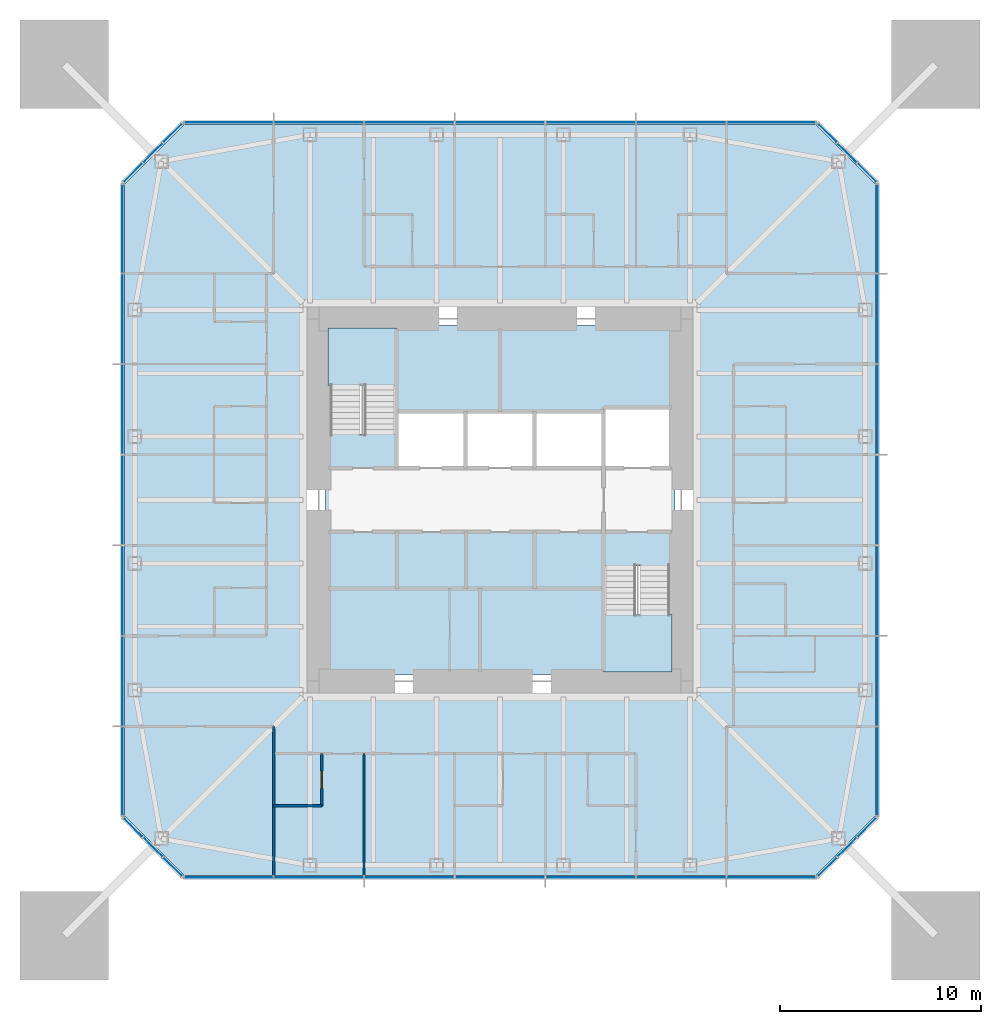
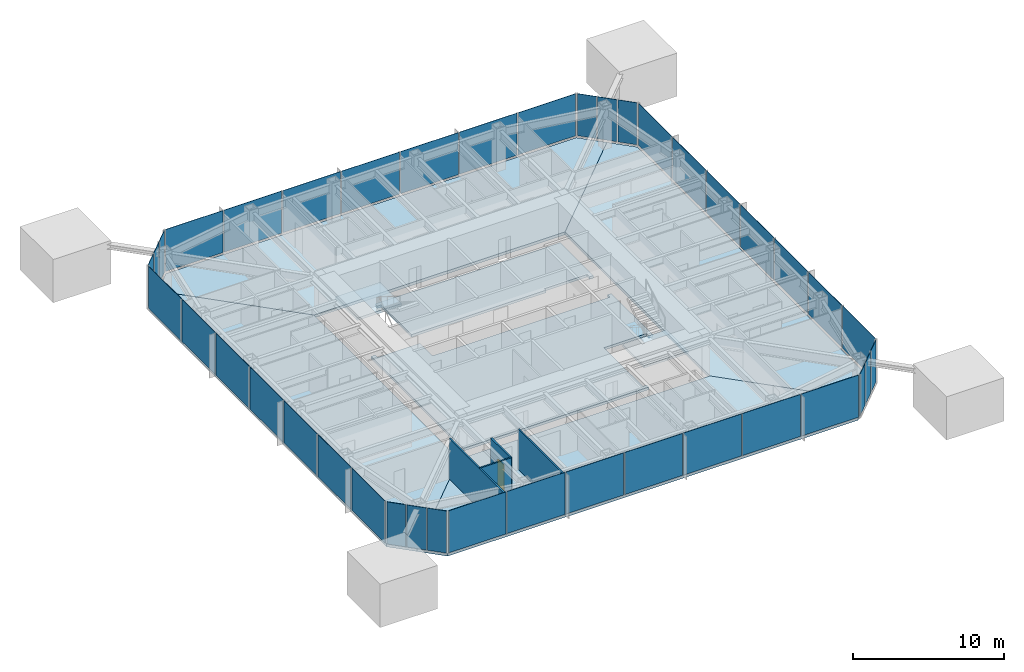
# One storey, part 5 of 11: 40 plates, 8 slabs, 4 walls, 1 door, 1 opening, 10 elements without a shape of their own.
"""IFC4 building model written with IfcOpenShell, lengths in metres."""

from ifc_helpers import new_model, si_unit, direction, frame, frame_2d, origin, origin_2d, place, context, subcontext, project, spatial, polyline, rectangle, outline, extrude, material, layer, layer_set, constituent, constituent_set, type_object, element, fill, aggregate, save


model = new_model("IFC4")

# Units and contexts
model_context = context("Model", 3, precision=1e-05, world=origin(), true_north=direction((0.0, 1.0)))
body_context = subcontext(model_context, "Body", "Model", "MODEL_VIEW")
ifc_project = project(units=[si_unit("LENGTHUNIT", "METRE"), si_unit("AREAUNIT", "SQUARE_METRE"), si_unit("VOLUMEUNIT", "CUBIC_METRE"), si_unit("PLANEANGLEUNIT", "RADIAN"), si_unit("MASSUNIT", "GRAM", prefix="KILO")], contexts=[model_context])

# Site, building, storey
site_placement = place(None, origin())
site = spatial("IfcSite", under=ifc_project, at=site_placement, CompositionType="ELEMENT")
building_placement = place(site_placement, origin())
building = spatial("IfcBuilding", under=site, at=building_placement, Name="Iwan Alto Co-Living Towers", CompositionType="ELEMENT")
storey_placement = place(building_placement, frame((0.0, 0.0, 156.5)))
storey = spatial("IfcBuildingStorey", under=building, at=storey_placement, Name="L42", CompositionType="ELEMENT", Elevation=156.5)

# Slabs
ifc_material_1 = material(Name="Concrete f'c 30 MPa", Category="concrete")
ifc_layer_1 = layer(ifc_material_1, 0.199951171875)
ifc_layer_set_1 = layer_set([ifc_layer_1], Name="CORE FLOOR SLAB 200")
slab_type_1 = type_object("IfcSlabType", Name="CORE FLOOR SLAB 200", PredefinedType="FLOOR", material=ifc_layer_set_1)
slab_1_placement = place(storey_placement, frame((0.0, 0.0, -0.199951171875)))
element("IfcSlab", 1, at=slab_1_placement, inside=storey, type_object=slab_type_1, Name="T1 core floor L42", PredefinedType="FLOOR", context=body_context, shape_type="SweptSolid", body=[
    extrude(outline(polyline([(5.14990234375, -8.39990234375), (5.4599609375, -8.39990234375), (5.4599609375, -8.699951171875), (-8.699951171875, -8.699951171875), (-8.699951171875, 3.580078125), (-8.39990234375, 3.580078125), (-8.39990234375, 3.27001953125), (-5.14990234375, 3.27001953125), (-5.14990234375, 1.60009765625), (-1.717041015625, 1.60009765625), (1.717041015625, 1.60009765625), (5.14990234375, 1.60009765625), (8.39990234375, 1.60009765625), (8.39990234375, 1.909912109375), (8.699951171875, 1.909912109375), (8.699951171875, -3.580078125), (8.39990234375, -3.580078125), (8.39990234375, -3.27001953125), (5.14990234375, -3.27001953125), (5.14990234375, -8.39990234375)])), origin(), (0.0, 0.0, 1.0), 0.199951171875),
])
slab_2_placement = place(storey_placement, frame((0.0, 0.0, -0.199951171875)))
element("IfcSlab", 2, at=slab_2_placement, inside=storey, type_object=slab_type_1, Name="T1 core floor L42", PredefinedType="FLOOR", context=body_context, shape_type="SweptSolid", body=[
    extrude(outline(polyline([(1.717041015625, 4.39990234375), (-1.717041015625, 4.39990234375), (-5.14990234375, 4.39990234375), (-5.14990234375, 8.39990234375), (-5.4599609375, 8.39990234375), (-5.4599609375, 8.699951171875), (8.699951171875, 8.699951171875), (8.699951171875, 4.2900390625), (8.39990234375, 4.2900390625), (8.39990234375, 4.60009765625), (5.14990234375, 4.60009765625), (5.14990234375, 4.39990234375), (1.717041015625, 4.39990234375)])), origin(), (0.0, 0.0, 1.0), 0.199951171875),
])

# Curtain wall, plates
ifc_material_2 = material(Name="Bronze aluminium unitised frame", Category="aluminium")
curtain_wall_type_1 = type_object("IfcCurtainWallType", Name="CURTAIN WALL CW-A", PredefinedType="NOTDEFINED", material=ifc_material_2)
curtain_wall_1_placement = place(storey_placement, origin())
curtain_wall_1 = element("IfcCurtainWall", 3, at=curtain_wall_1_placement, inside=storey, type_object=curtain_wall_type_1, Name="T1 curtain wall S L42", PredefinedType="NOTDEFINED")
ifc_material_3 = material(Name="Bronze-tinted insulating glass", Category="glass")
ifc_layer_2 = layer(ifc_material_3, 0.031982421875)
ifc_layer_set_2 = layer_set([ifc_layer_2], Name="CW-A PANEL TINTED IGU 32")
plate_type_1 = type_object("IfcPlateType", Name="CW-A PANEL TINTED IGU 32", PredefinedType="CURTAIN_PANEL", material=ifc_layer_set_2)
plate_1_placement = place(storey_placement, frame((-13.47998046875, -18.75, 0.10009765625), z_axis=(0.0, 0.0, 1.0), x_axis=(1.0, 0.0, 0.0)))
plate_1 = element("IfcPlate", 4, at=plate_1_placement, type_object=plate_type_1, Name="CW-A panel 1.1", PredefinedType="CURTAIN_PANEL", context=body_context, shape_type="SweptSolid", body=[
    extrude(rectangle(XDim=4.3798828125, YDim=0.031982421875, at=origin_2d()), origin(), (0.0, 0.0, 1.0), 3.39990234375),
])
plate_2_placement = place(storey_placement, frame((-9.0, -18.75, 0.10009765625), z_axis=(0.0, 0.0, 1.0), x_axis=(1.0, 0.0, 0.0)))
plate_2 = element("IfcPlate", 5, at=plate_2_placement, type_object=plate_type_1, Name="CW-A panel 2.1", PredefinedType="CURTAIN_PANEL", context=body_context, shape_type="SweptSolid", body=[
    extrude(rectangle(XDim=4.419921875, YDim=0.031982421875, at=origin_2d()), origin(), (0.0, 0.0, 1.0), 3.39990234375),
])
plate_3_placement = place(storey_placement, frame((-4.5, -18.75, 0.10009765625), z_axis=(0.0, 0.0, 1.0), x_axis=(1.0, 0.0, 0.0)))
plate_3 = element("IfcPlate", 6, at=plate_3_placement, type_object=plate_type_1, Name="CW-A panel 3.1", PredefinedType="CURTAIN_PANEL", context=body_context, shape_type="SweptSolid", body=[
    extrude(rectangle(XDim=4.419921875, YDim=0.031982421875, at=origin_2d()), origin(), (0.0, 0.0, 1.0), 3.39990234375),
])
plate_4_placement = place(storey_placement, frame((0.0, -18.75, 0.10009765625), z_axis=(0.0, 0.0, 1.0), x_axis=(1.0, 0.0, 0.0)))
plate_4 = element("IfcPlate", 7, at=plate_4_placement, type_object=plate_type_1, Name="CW-A panel 4.1", PredefinedType="CURTAIN_PANEL", context=body_context, shape_type="SweptSolid", body=[
    extrude(rectangle(XDim=4.419921875, YDim=0.031982421875, at=origin_2d()), origin(), (0.0, 0.0, 1.0), 3.39990234375),
])
plate_5_placement = place(storey_placement, frame((4.5, -18.75, 0.10009765625), z_axis=(0.0, 0.0, 1.0), x_axis=(1.0, 0.0, 0.0)))
plate_5 = element("IfcPlate", 8, at=plate_5_placement, type_object=plate_type_1, Name="CW-A panel 5.1", PredefinedType="CURTAIN_PANEL", context=body_context, shape_type="SweptSolid", body=[
    extrude(rectangle(XDim=4.419921875, YDim=0.031982421875, at=origin_2d()), origin(), (0.0, 0.0, 1.0), 3.39990234375),
])
plate_6_placement = place(storey_placement, frame((9.0, -18.75, 0.10009765625), z_axis=(0.0, 0.0, 1.0), x_axis=(1.0, 0.0, 0.0)))
plate_6 = element("IfcPlate", 9, at=plate_6_placement, type_object=plate_type_1, Name="CW-A panel 6.1", PredefinedType="CURTAIN_PANEL", context=body_context, shape_type="SweptSolid", body=[
    extrude(rectangle(XDim=4.419921875, YDim=0.031982421875, at=origin_2d()), origin(), (0.0, 0.0, 1.0), 3.39990234375),
])
plate_7_placement = place(storey_placement, frame((13.47998046875, -18.75, 0.10009765625), z_axis=(0.0, 0.0, 1.0), x_axis=(1.0, 0.0, 0.0)))
plate_7 = element("IfcPlate", 10, at=plate_7_placement, type_object=plate_type_1, Name="CW-A panel 7.1", PredefinedType="CURTAIN_PANEL", context=body_context, shape_type="SweptSolid", body=[
    extrude(rectangle(XDim=4.3798828125, YDim=0.031982421875, at=origin_2d()), origin(), (0.0, 0.0, 1.0), 3.39990234375),
])
aggregate(curtain_wall_1, [plate_1, plate_2, plate_3, plate_4, plate_5, plate_6, plate_7])

curtain_wall_2_placement = place(storey_placement, origin())
curtain_wall_2 = element("IfcCurtainWall", 11, at=curtain_wall_2_placement, inside=storey, type_object=curtain_wall_type_1, Name="T1 curtain wall E L42", PredefinedType="NOTDEFINED")
plate_8_placement = place(storey_placement, frame((18.75, -13.47998046875, 0.10009765625), z_axis=(0.0, 0.0, 1.0), x_axis=(0.0, 1.0, 0.0)))
plate_8 = element("IfcPlate", 12, at=plate_8_placement, type_object=plate_type_1, Name="CW-A panel 1.1", PredefinedType="CURTAIN_PANEL", context=body_context, shape_type="SweptSolid", body=[
    extrude(rectangle(XDim=4.3798828125, YDim=0.031982421875, at=origin_2d()), origin(), (0.0, 0.0, 1.0), 3.39990234375),
])
plate_9_placement = place(storey_placement, frame((18.75, -9.0, 0.10009765625), z_axis=(0.0, 0.0, 1.0), x_axis=(0.0, 1.0, 0.0)))
plate_9 = element("IfcPlate", 13, at=plate_9_placement, type_object=plate_type_1, Name="CW-A panel 2.1", PredefinedType="CURTAIN_PANEL", context=body_context, shape_type="SweptSolid", body=[
    extrude(rectangle(XDim=4.419921875, YDim=0.031982421875, at=origin_2d()), origin(), (0.0, 0.0, 1.0), 3.39990234375),
])
plate_10_placement = place(storey_placement, frame((18.75, -4.5, 0.10009765625), z_axis=(0.0, 0.0, 1.0), x_axis=(0.0, 1.0, 0.0)))
plate_10 = element("IfcPlate", 14, at=plate_10_placement, type_object=plate_type_1, Name="CW-A panel 3.1", PredefinedType="CURTAIN_PANEL", context=body_context, shape_type="SweptSolid", body=[
    extrude(rectangle(XDim=4.419921875, YDim=0.031982421875, at=origin_2d()), origin(), (0.0, 0.0, 1.0), 3.39990234375),
])
plate_11_placement = place(storey_placement, frame((18.75, 0.0, 0.10009765625), z_axis=(0.0, 0.0, 1.0), x_axis=(0.0, 1.0, 0.0)))
plate_11 = element("IfcPlate", 15, at=plate_11_placement, type_object=plate_type_1, Name="CW-A panel 4.1", PredefinedType="CURTAIN_PANEL", context=body_context, shape_type="SweptSolid", body=[
    extrude(rectangle(XDim=4.419921875, YDim=0.031982421875, at=origin_2d()), origin(), (0.0, 0.0, 1.0), 3.39990234375),
])
plate_12_placement = place(storey_placement, frame((18.75, 4.5, 0.10009765625), z_axis=(0.0, 0.0, 1.0), x_axis=(0.0, 1.0, 0.0)))
plate_12 = element("IfcPlate", 16, at=plate_12_placement, type_object=plate_type_1, Name="CW-A panel 5.1", PredefinedType="CURTAIN_PANEL", context=body_context, shape_type="SweptSolid", body=[
    extrude(rectangle(XDim=4.419921875, YDim=0.031982421875, at=origin_2d()), origin(), (0.0, 0.0, 1.0), 3.39990234375),
])
plate_13_placement = place(storey_placement, frame((18.75, 9.0, 0.10009765625), z_axis=(0.0, 0.0, 1.0), x_axis=(0.0, 1.0, 0.0)))
plate_13 = element("IfcPlate", 17, at=plate_13_placement, type_object=plate_type_1, Name="CW-A panel 6.1", PredefinedType="CURTAIN_PANEL", context=body_context, shape_type="SweptSolid", body=[
    extrude(rectangle(XDim=4.419921875, YDim=0.031982421875, at=origin_2d()), origin(), (0.0, 0.0, 1.0), 3.39990234375),
])
plate_14_placement = place(storey_placement, frame((18.75, 13.47998046875, 0.10009765625), z_axis=(0.0, 0.0, 1.0), x_axis=(0.0, 1.0, 0.0)))
plate_14 = element("IfcPlate", 18, at=plate_14_placement, type_object=plate_type_1, Name="CW-A panel 7.1", PredefinedType="CURTAIN_PANEL", context=body_context, shape_type="SweptSolid", body=[
    extrude(rectangle(XDim=4.3798828125, YDim=0.031982421875, at=origin_2d()), origin(), (0.0, 0.0, 1.0), 3.39990234375),
])
aggregate(curtain_wall_2, [plate_8, plate_9, plate_10, plate_11, plate_12, plate_13, plate_14])

curtain_wall_3_placement = place(storey_placement, origin())
curtain_wall_3 = element("IfcCurtainWall", 19, at=curtain_wall_3_placement, inside=storey, type_object=curtain_wall_type_1, Name="T1 curtain wall N L42", PredefinedType="NOTDEFINED")
plate_15_placement = place(storey_placement, frame((13.47998046875, 18.75, 0.10009765625), z_axis=(0.0, 0.0, 1.0), x_axis=(-1.0, 0.0, 0.0)))
plate_15 = element("IfcPlate", 20, at=plate_15_placement, type_object=plate_type_1, Name="CW-A panel 1.1", PredefinedType="CURTAIN_PANEL", context=body_context, shape_type="SweptSolid", body=[
    extrude(rectangle(XDim=4.3798828125, YDim=0.031982421875, at=origin_2d()), origin(), (0.0, 0.0, 1.0), 3.39990234375),
])
plate_16_placement = place(storey_placement, frame((9.0, 18.75, 0.10009765625), z_axis=(0.0, 0.0, 1.0), x_axis=(-1.0, 0.0, 0.0)))
plate_16 = element("IfcPlate", 21, at=plate_16_placement, type_object=plate_type_1, Name="CW-A panel 2.1", PredefinedType="CURTAIN_PANEL", context=body_context, shape_type="SweptSolid", body=[
    extrude(rectangle(XDim=4.419921875, YDim=0.031982421875, at=origin_2d()), origin(), (0.0, 0.0, 1.0), 3.39990234375),
])
plate_17_placement = place(storey_placement, frame((4.5, 18.75, 0.10009765625), z_axis=(0.0, 0.0, 1.0), x_axis=(-1.0, 0.0, 0.0)))
plate_17 = element("IfcPlate", 22, at=plate_17_placement, type_object=plate_type_1, Name="CW-A panel 3.1", PredefinedType="CURTAIN_PANEL", context=body_context, shape_type="SweptSolid", body=[
    extrude(rectangle(XDim=4.419921875, YDim=0.031982421875, at=origin_2d()), origin(), (0.0, 0.0, 1.0), 3.39990234375),
])
plate_18_placement = place(storey_placement, frame((0.0, 18.75, 0.10009765625), z_axis=(0.0, 0.0, 1.0), x_axis=(-1.0, 0.0, 0.0)))
plate_18 = element("IfcPlate", 23, at=plate_18_placement, type_object=plate_type_1, Name="CW-A panel 4.1", PredefinedType="CURTAIN_PANEL", context=body_context, shape_type="SweptSolid", body=[
    extrude(rectangle(XDim=4.419921875, YDim=0.031982421875, at=origin_2d()), origin(), (0.0, 0.0, 1.0), 3.39990234375),
])
plate_19_placement = place(storey_placement, frame((-4.5, 18.75, 0.10009765625), z_axis=(0.0, 0.0, 1.0), x_axis=(-1.0, 0.0, 0.0)))
plate_19 = element("IfcPlate", 24, at=plate_19_placement, type_object=plate_type_1, Name="CW-A panel 5.1", PredefinedType="CURTAIN_PANEL", context=body_context, shape_type="SweptSolid", body=[
    extrude(rectangle(XDim=4.419921875, YDim=0.031982421875, at=origin_2d()), origin(), (0.0, 0.0, 1.0), 3.39990234375),
])
plate_20_placement = place(storey_placement, frame((-9.0, 18.75, 0.10009765625), z_axis=(0.0, 0.0, 1.0), x_axis=(-1.0, 0.0, 0.0)))
plate_20 = element("IfcPlate", 25, at=plate_20_placement, type_object=plate_type_1, Name="CW-A panel 6.1", PredefinedType="CURTAIN_PANEL", context=body_context, shape_type="SweptSolid", body=[
    extrude(rectangle(XDim=4.419921875, YDim=0.031982421875, at=origin_2d()), origin(), (0.0, 0.0, 1.0), 3.39990234375),
])
plate_21_placement = place(storey_placement, frame((-13.47998046875, 18.75, 0.10009765625), z_axis=(0.0, 0.0, 1.0), x_axis=(-1.0, 0.0, 0.0)))
plate_21 = element("IfcPlate", 26, at=plate_21_placement, type_object=plate_type_1, Name="CW-A panel 7.1", PredefinedType="CURTAIN_PANEL", context=body_context, shape_type="SweptSolid", body=[
    extrude(rectangle(XDim=4.3798828125, YDim=0.031982421875, at=origin_2d()), origin(), (0.0, 0.0, 1.0), 3.39990234375),
])
aggregate(curtain_wall_3, [plate_15, plate_16, plate_17, plate_18, plate_19, plate_20, plate_21])

curtain_wall_4_placement = place(storey_placement, origin())
curtain_wall_4 = element("IfcCurtainWall", 27, at=curtain_wall_4_placement, inside=storey, type_object=curtain_wall_type_1, Name="T1 curtain wall W L42", PredefinedType="NOTDEFINED")
plate_22_placement = place(storey_placement, frame((-18.75, 13.47998046875, 0.10009765625), z_axis=(0.0, 0.0, 1.0), x_axis=(0.0, -1.0, 0.0)))
plate_22 = element("IfcPlate", 28, at=plate_22_placement, type_object=plate_type_1, Name="CW-A panel 1.1", PredefinedType="CURTAIN_PANEL", context=body_context, shape_type="SweptSolid", body=[
    extrude(rectangle(XDim=4.3798828125, YDim=0.031982421875, at=origin_2d()), origin(), (0.0, 0.0, 1.0), 3.39990234375),
])
plate_23_placement = place(storey_placement, frame((-18.75, 9.0, 0.10009765625), z_axis=(0.0, 0.0, 1.0), x_axis=(0.0, -1.0, 0.0)))
plate_23 = element("IfcPlate", 29, at=plate_23_placement, type_object=plate_type_1, Name="CW-A panel 2.1", PredefinedType="CURTAIN_PANEL", context=body_context, shape_type="SweptSolid", body=[
    extrude(rectangle(XDim=4.419921875, YDim=0.031982421875, at=origin_2d()), origin(), (0.0, 0.0, 1.0), 3.39990234375),
])
plate_24_placement = place(storey_placement, frame((-18.75, 4.5, 0.10009765625), z_axis=(0.0, 0.0, 1.0), x_axis=(0.0, -1.0, 0.0)))
plate_24 = element("IfcPlate", 30, at=plate_24_placement, type_object=plate_type_1, Name="CW-A panel 3.1", PredefinedType="CURTAIN_PANEL", context=body_context, shape_type="SweptSolid", body=[
    extrude(rectangle(XDim=4.419921875, YDim=0.031982421875, at=origin_2d()), origin(), (0.0, 0.0, 1.0), 3.39990234375),
])
plate_25_placement = place(storey_placement, frame((-18.75, 0.0, 0.10009765625), z_axis=(0.0, 0.0, 1.0), x_axis=(0.0, -1.0, 0.0)))
plate_25 = element("IfcPlate", 31, at=plate_25_placement, type_object=plate_type_1, Name="CW-A panel 4.1", PredefinedType="CURTAIN_PANEL", context=body_context, shape_type="SweptSolid", body=[
    extrude(rectangle(XDim=4.419921875, YDim=0.031982421875, at=origin_2d()), origin(), (0.0, 0.0, 1.0), 3.39990234375),
])
plate_26_placement = place(storey_placement, frame((-18.75, -4.5, 0.10009765625), z_axis=(0.0, 0.0, 1.0), x_axis=(0.0, -1.0, 0.0)))
plate_26 = element("IfcPlate", 32, at=plate_26_placement, type_object=plate_type_1, Name="CW-A panel 5.1", PredefinedType="CURTAIN_PANEL", context=body_context, shape_type="SweptSolid", body=[
    extrude(rectangle(XDim=4.419921875, YDim=0.031982421875, at=origin_2d()), origin(), (0.0, 0.0, 1.0), 3.39990234375),
])
plate_27_placement = place(storey_placement, frame((-18.75, -9.0, 0.10009765625), z_axis=(0.0, 0.0, 1.0), x_axis=(0.0, -1.0, 0.0)))
plate_27 = element("IfcPlate", 33, at=plate_27_placement, type_object=plate_type_1, Name="CW-A panel 6.1", PredefinedType="CURTAIN_PANEL", context=body_context, shape_type="SweptSolid", body=[
    extrude(rectangle(XDim=4.419921875, YDim=0.031982421875, at=origin_2d()), origin(), (0.0, 0.0, 1.0), 3.39990234375),
])
plate_28_placement = place(storey_placement, frame((-18.75, -13.47998046875, 0.10009765625), z_axis=(0.0, 0.0, 1.0), x_axis=(0.0, -1.0, 0.0)))
plate_28 = element("IfcPlate", 34, at=plate_28_placement, type_object=plate_type_1, Name="CW-A panel 7.1", PredefinedType="CURTAIN_PANEL", context=body_context, shape_type="SweptSolid", body=[
    extrude(rectangle(XDim=4.3798828125, YDim=0.031982421875, at=origin_2d()), origin(), (0.0, 0.0, 1.0), 3.39990234375),
])
aggregate(curtain_wall_4, [plate_22, plate_23, plate_24, plate_25, plate_26, plate_27, plate_28])

ifc_material_4 = material(Name="Bronze aluminium unitised frame", Category="aluminium")
curtain_wall_type_2 = type_object("IfcCurtainWallType", Name="CURTAIN WALL CW-B", PredefinedType="NOTDEFINED", material=ifc_material_4)
curtain_wall_5_placement = place(storey_placement, origin())
curtain_wall_5 = element("IfcCurtainWall", 35, at=curtain_wall_5_placement, inside=storey, type_object=curtain_wall_type_2, Name="T1 chamfer curtain wall SE L42", PredefinedType="NOTDEFINED")
ifc_material_5 = material(Name="Bronze-tinted insulating glass", Category="glass")
ifc_layer_3 = layer(ifc_material_5, 0.031982421875)
ifc_layer_set_3 = layer_set([ifc_layer_3], Name="CW-B PANEL TINTED IGU 32")
plate_type_2 = type_object("IfcPlateType", Name="CW-B PANEL TINTED IGU 32", PredefinedType="CURTAIN_PANEL", material=ifc_layer_set_3)
plate_29_placement = place(storey_placement, frame((16.26416015625, -18.23583984375, 0.10009765625), z_axis=(0.0, 0.0, 1.0), x_axis=(0.707106781187, 0.707106781187, 0.0)))
plate_29 = element("IfcPlate", 36, at=plate_29_placement, type_object=plate_type_2, Name="CW-B panel 1.1", PredefinedType="CURTAIN_PANEL", context=body_context, shape_type="SweptSolid", body=[
    extrude(rectangle(XDim=1.294189453125, YDim=0.031982421875, at=origin_2d()), origin(), (0.0, 0.0, 1.0), 3.39990234375),
])
plate_30_placement = place(storey_placement, frame((17.25, -17.25, 0.10009765625), z_axis=(0.0, 0.0, 1.0), x_axis=(0.707106781187, 0.707106781187, 0.0)))
plate_30 = element("IfcPlate", 37, at=plate_30_placement, type_object=plate_type_2, Name="CW-B panel 2.1", PredefinedType="CURTAIN_PANEL", context=body_context, shape_type="SweptSolid", body=[
    extrude(rectangle(XDim=1.334228515625, YDim=0.031982421875, at=origin_2d()), origin(), (0.0, 0.0, 1.0), 3.39990234375),
])
plate_31_placement = place(storey_placement, frame((18.23583984375, -16.26416015625, 0.10009765625), z_axis=(0.0, 0.0, 1.0), x_axis=(0.707106781187, 0.707106781187, 0.0)))
plate_31 = element("IfcPlate", 38, at=plate_31_placement, type_object=plate_type_2, Name="CW-B panel 3.1", PredefinedType="CURTAIN_PANEL", context=body_context, shape_type="SweptSolid", body=[
    extrude(rectangle(XDim=1.294189453125, YDim=0.031982421875, at=origin_2d()), origin(), (0.0, 0.0, 1.0), 3.39990234375),
])
aggregate(curtain_wall_5, [plate_29, plate_30, plate_31])

curtain_wall_6_placement = place(storey_placement, origin())
curtain_wall_6 = element("IfcCurtainWall", 39, at=curtain_wall_6_placement, inside=storey, type_object=curtain_wall_type_2, Name="T1 chamfer curtain wall NE L42", PredefinedType="NOTDEFINED")
plate_32_placement = place(storey_placement, frame((18.23583984375, 16.26416015625, 0.10009765625), z_axis=(0.0, 0.0, 1.0), x_axis=(-0.707106781187, 0.707106781187, 0.0)))
plate_32 = element("IfcPlate", 40, at=plate_32_placement, type_object=plate_type_2, Name="CW-B panel 1.1", PredefinedType="CURTAIN_PANEL", context=body_context, shape_type="SweptSolid", body=[
    extrude(rectangle(XDim=1.294189453125, YDim=0.031982421875, at=origin_2d()), origin(), (0.0, 0.0, 1.0), 3.39990234375),
])
plate_33_placement = place(storey_placement, frame((17.25, 17.25, 0.10009765625), z_axis=(0.0, 0.0, 1.0), x_axis=(-0.707106781187, 0.707106781187, 0.0)))
plate_33 = element("IfcPlate", 41, at=plate_33_placement, type_object=plate_type_2, Name="CW-B panel 2.1", PredefinedType="CURTAIN_PANEL", context=body_context, shape_type="SweptSolid", body=[
    extrude(rectangle(XDim=1.334228515625, YDim=0.031982421875, at=origin_2d()), origin(), (0.0, 0.0, 1.0), 3.39990234375),
])
plate_34_placement = place(storey_placement, frame((16.26416015625, 18.23583984375, 0.10009765625), z_axis=(0.0, 0.0, 1.0), x_axis=(-0.707106781187, 0.707106781187, 0.0)))
plate_34 = element("IfcPlate", 42, at=plate_34_placement, type_object=plate_type_2, Name="CW-B panel 3.1", PredefinedType="CURTAIN_PANEL", context=body_context, shape_type="SweptSolid", body=[
    extrude(rectangle(XDim=1.294189453125, YDim=0.031982421875, at=origin_2d()), origin(), (0.0, 0.0, 1.0), 3.39990234375),
])
aggregate(curtain_wall_6, [plate_32, plate_33, plate_34])

curtain_wall_7_placement = place(storey_placement, origin())
curtain_wall_7 = element("IfcCurtainWall", 43, at=curtain_wall_7_placement, inside=storey, type_object=curtain_wall_type_2, Name="T1 chamfer curtain wall NW L42", PredefinedType="NOTDEFINED")
plate_35_placement = place(storey_placement, frame((-16.26416015625, 18.23583984375, 0.10009765625), z_axis=(0.0, 0.0, 1.0), x_axis=(-0.707106781187, -0.707106781187, 0.0)))
plate_35 = element("IfcPlate", 44, at=plate_35_placement, type_object=plate_type_2, Name="CW-B panel 1.1", PredefinedType="CURTAIN_PANEL", context=body_context, shape_type="SweptSolid", body=[
    extrude(rectangle(XDim=1.294189453125, YDim=0.031982421875, at=origin_2d()), origin(), (0.0, 0.0, 1.0), 3.39990234375),
])
plate_36_placement = place(storey_placement, frame((-17.25, 17.25, 0.10009765625), z_axis=(0.0, 0.0, 1.0), x_axis=(-0.707106781187, -0.707106781187, 0.0)))
plate_36 = element("IfcPlate", 45, at=plate_36_placement, type_object=plate_type_2, Name="CW-B panel 2.1", PredefinedType="CURTAIN_PANEL", context=body_context, shape_type="SweptSolid", body=[
    extrude(rectangle(XDim=1.334228515625, YDim=0.031982421875, at=origin_2d()), origin(), (0.0, 0.0, 1.0), 3.39990234375),
])
plate_37_placement = place(storey_placement, frame((-18.23583984375, 16.26416015625, 0.10009765625), z_axis=(0.0, 0.0, 1.0), x_axis=(-0.707106781187, -0.707106781187, 0.0)))
plate_37 = element("IfcPlate", 46, at=plate_37_placement, type_object=plate_type_2, Name="CW-B panel 3.1", PredefinedType="CURTAIN_PANEL", context=body_context, shape_type="SweptSolid", body=[
    extrude(rectangle(XDim=1.294189453125, YDim=0.031982421875, at=origin_2d()), origin(), (0.0, 0.0, 1.0), 3.39990234375),
])
aggregate(curtain_wall_7, [plate_35, plate_36, plate_37])

curtain_wall_8_placement = place(storey_placement, origin())
curtain_wall_8 = element("IfcCurtainWall", 47, at=curtain_wall_8_placement, inside=storey, type_object=curtain_wall_type_2, Name="T1 chamfer curtain wall SW L42", PredefinedType="NOTDEFINED")
plate_38_placement = place(storey_placement, frame((-18.23583984375, -16.26416015625, 0.10009765625), z_axis=(0.0, 0.0, 1.0), x_axis=(0.707106781187, -0.707106781187, 0.0)))
plate_38 = element("IfcPlate", 48, at=plate_38_placement, type_object=plate_type_2, Name="CW-B panel 1.1", PredefinedType="CURTAIN_PANEL", context=body_context, shape_type="SweptSolid", body=[
    extrude(rectangle(XDim=1.294189453125, YDim=0.031982421875, at=origin_2d()), origin(), (0.0, 0.0, 1.0), 3.39990234375),
])
plate_39_placement = place(storey_placement, frame((-17.25, -17.25, 0.10009765625), z_axis=(0.0, 0.0, 1.0), x_axis=(0.707106781187, -0.707106781187, 0.0)))
plate_39 = element("IfcPlate", 49, at=plate_39_placement, type_object=plate_type_2, Name="CW-B panel 2.1", PredefinedType="CURTAIN_PANEL", context=body_context, shape_type="SweptSolid", body=[
    extrude(rectangle(XDim=1.334228515625, YDim=0.031982421875, at=origin_2d()), origin(), (0.0, 0.0, 1.0), 3.39990234375),
])
plate_40_placement = place(storey_placement, frame((-16.26416015625, -18.23583984375, 0.10009765625), z_axis=(0.0, 0.0, 1.0), x_axis=(0.707106781187, -0.707106781187, 0.0)))
plate_40 = element("IfcPlate", 50, at=plate_40_placement, type_object=plate_type_2, Name="CW-B panel 3.1", PredefinedType="CURTAIN_PANEL", context=body_context, shape_type="SweptSolid", body=[
    extrude(rectangle(XDim=1.294189453125, YDim=0.031982421875, at=origin_2d()), origin(), (0.0, 0.0, 1.0), 3.39990234375),
])
aggregate(curtain_wall_8, [plate_38, plate_39, plate_40])

# Stair, slab
ifc_material_6 = material(Name="Steel ASTM A36", Category="steel")
ifc_constituent_1 = constituent(ifc_material_6, Name="Stringers", Category="LoadBearing")
ifc_material_7 = material(Name="Concrete f'c 30 MPa", Category="concrete")
ifc_constituent_2 = constituent(ifc_material_7, Name="Tread fill", Category="Finish")
ifc_constituent_set = constituent_set(constituents=[ifc_constituent_1, ifc_constituent_2], Name="STAIR 3500 TWO-FLIGHT T1 CORE")
stair_type = type_object("IfcStairType", Name="STAIR 3500 TWO-FLIGHT T1 CORE", PredefinedType="HALF_TURN_STAIR", material=ifc_constituent_set)
stair_1_placement = place(storey_placement, origin())
stair_1 = element("IfcStair", 51, at=stair_1_placement, inside=storey, type_object=stair_type, Name="Stair T1-S1 L42 to L43", PredefinedType="HALF_TURN_STAIR")
ifc_material_8 = material(Name="Concrete f'c 30 MPa", Category="concrete")
ifc_layer_4 = layer(ifc_material_8, 0.199951171875)
ifc_layer_set_4 = layer_set([ifc_layer_4], Name="STAIR LANDING 200")
slab_type_2 = type_object("IfcSlabType", Name="STAIR LANDING 200", PredefinedType="LANDING", material=ifc_layer_set_4)
slab_3_placement = place(storey_placement, frame((0.0, 0.0, 1.550048828125)))
slab_3 = element("IfcSlab", 52, at=slab_3_placement, type_object=slab_type_2, Name="T1-S1 landing 1", PredefinedType="LANDING", context=body_context, shape_type="SweptSolid", body=[
    extrude(outline(polyline([(-8.550048828125, 5.68994140625), (-8.550048828125, 8.550048828125), (-5.14990234375, 8.550048828125), (-5.14990234375, 5.68994140625), (-8.550048828125, 5.68994140625)])), origin(), (0.0, 0.0, 1.0), 0.199951171875),
])
aggregate(stair_1, [slab_3])

stair_2_placement = place(storey_placement, origin())
stair_2 = element("IfcStair", 53, at=stair_2_placement, inside=storey, type_object=stair_type, Name="Stair T1-S2 L42 to L43", PredefinedType="HALF_TURN_STAIR")
slab_4_placement = place(storey_placement, frame((0.0, 0.0, 1.550048828125)))
slab_4 = element("IfcSlab", 54, at=slab_4_placement, type_object=slab_type_2, Name="T1-S2 landing 1", PredefinedType="LANDING", context=body_context, shape_type="SweptSolid", body=[
    extrude(outline(polyline([(5.14990234375, -5.68994140625), (5.14990234375, -8.550048828125), (8.550048828125, -8.550048828125), (8.550048828125, -5.68994140625), (5.14990234375, -5.68994140625)])), origin(), (0.0, 0.0, 1.0), 0.199951171875),
])
aggregate(stair_2, [slab_4])

# Slabs
ifc_material_9 = material(Name="Concrete f'c 30 MPa", Category="concrete")
ifc_layer_5 = layer(ifc_material_9, 0.22998046875)
ifc_layer_set_5 = layer_set([ifc_layer_5], Name="T1 FLOOR SLAB 230")
slab_type_3 = type_object("IfcSlabType", Name="T1 FLOOR SLAB 230", PredefinedType="FLOOR", material=ifc_layer_set_5)
slab_5_placement = place(storey_placement, frame((0.0, 0.0, -0.22998046875)))
element("IfcSlab", 55, at=slab_5_placement, inside=storey, type_object=slab_type_3, Name="T1 floor slab L42 S pour", PredefinedType="FLOOR", context=body_context, shape_type="SweptSolid", body=[
    extrude(outline(polyline([(15.69140625, -18.64990234375), (-15.69140625, -18.64990234375), (-17.170654296875, -17.170654296875), (-9.60009765625, -9.60009765625), (9.60009765625, -9.60009765625), (17.170654296875, -17.170654296875), (15.69140625, -18.64990234375)])), origin(), (0.0, 0.0, 1.0), 0.22998046875),
])
slab_6_placement = place(storey_placement, frame((0.0, 0.0, -0.22998046875)))
element("IfcSlab", 56, at=slab_6_placement, inside=storey, type_object=slab_type_3, Name="T1 floor slab L42 E pour", PredefinedType="FLOOR", context=body_context, shape_type="SweptSolid", body=[
    extrude(outline(polyline([(18.64990234375, 15.69140625), (18.64990234375, -15.69140625), (17.170654296875, -17.170654296875), (9.60009765625, -9.60009765625), (9.60009765625, 9.60009765625), (17.170654296875, 17.170654296875), (18.64990234375, 15.69140625)])), origin(), (0.0, 0.0, 1.0), 0.22998046875),
])
slab_7_placement = place(storey_placement, frame((0.0, 0.0, -0.22998046875)))
element("IfcSlab", 57, at=slab_7_placement, inside=storey, type_object=slab_type_3, Name="T1 floor slab L42 N pour", PredefinedType="FLOOR", context=body_context, shape_type="SweptSolid", body=[
    extrude(outline(polyline([(-15.69140625, 18.64990234375), (15.69140625, 18.64990234375), (17.170654296875, 17.170654296875), (9.60009765625, 9.60009765625), (-9.60009765625, 9.60009765625), (-17.170654296875, 17.170654296875), (-15.69140625, 18.64990234375)])), origin(), (0.0, 0.0, 1.0), 0.22998046875),
])
slab_8_placement = place(storey_placement, frame((0.0, 0.0, -0.22998046875)))
element("IfcSlab", 58, at=slab_8_placement, inside=storey, type_object=slab_type_3, Name="T1 floor slab L42 W pour", PredefinedType="FLOOR", context=body_context, shape_type="SweptSolid", body=[
    extrude(outline(polyline([(-18.64990234375, 15.69140625), (-17.170654296875, 17.170654296875), (-9.60009765625, 9.60009765625), (-9.60009765625, -9.60009765625), (-17.170654296875, -17.170654296875), (-18.64990234375, -15.69140625), (-18.64990234375, 15.69140625)])), origin(), (0.0, 0.0, 1.0), 0.22998046875),
])

# Walls
ifc_material_10 = material(Name="Gypsum board")
ifc_layer_6 = layer(ifc_material_10, 0.012451171875, Name="Board", Category="Finish")
ifc_material_11 = material(Name="Steel ASTM A1003 ST33H cold-formed studs", Category="steel")
ifc_layer_7 = layer(ifc_material_11, 0.074951171875, Name="Studs", Category="Framing")
ifc_layer_8 = layer(ifc_material_10, 0.012451171875, Name="Board", Category="Finish")
ifc_layer_set_6 = layer_set([ifc_layer_6, ifc_layer_7, ifc_layer_8], Name="PARTITION 100")
wall_type_1 = type_object("IfcWallType", Name="PARTITION 100", PredefinedType="PARTITIONING", material=ifc_layer_set_6)
wall_1_placement = place(storey_placement, frame((-6.75, -18.68994140625, 0.0), z_axis=(0.0, 0.0, 1.0), x_axis=(0.0, 1.0, 0.0)))
element("IfcWall", 59, at=wall_1_placement, inside=storey, type_object=wall_type_1, Name="Partition L42", PredefinedType="PARTITIONING", context=body_context, shape_type="SweptSolid", body=[
    extrude(rectangle(XDim=6.08984375, YDim=0.10009765625, at=frame_2d((3.044921875, 0.0))), origin(), (0.0, 0.0, 1.0), 3.27001953125),
])
ifc_material_12 = material(Name="Cement board")
ifc_layer_9 = layer(ifc_material_12, 0.012451171875, Name="Board", Category="Finish")
ifc_layer_10 = layer(ifc_material_11, 0.094970703125, Name="Studs", Category="Framing")
ifc_layer_11 = layer(ifc_material_12, 0.012451171875, Name="Board", Category="Finish")
ifc_layer_set_7 = layer_set([ifc_layer_9, ifc_layer_10, ifc_layer_11], Name="WET AREA PARTITION 120")
wall_type_2 = type_object("IfcWallType", Name="WET AREA PARTITION 120", PredefinedType="PARTITIONING", material=ifc_layer_set_7)
wall_2_placement = place(storey_placement, frame((-11.25, -15.199951171875, 0.0), z_axis=(0.0, 0.0, 1.0), x_axis=(1.0, 0.0, 0.0)))
element("IfcWall", 60, at=wall_2_placement, inside=storey, type_object=wall_type_2, Name="Partition L42", PredefinedType="PARTITIONING", context=body_context, shape_type="SweptSolid", body=[
    extrude(rectangle(XDim=2.39990234375, YDim=0.1201171875, at=frame_2d((1.199951171875, 0.0))), origin(), (0.0, 0.0, 1.0), 3.27001953125),
])

# Wall, opening, door
wall_3_placement = place(storey_placement, frame((-8.85009765625, -15.199951171875, 0.0), z_axis=(0.0, 0.0, 1.0), x_axis=(0.0, 1.0, 0.0)))
wall_3 = element("IfcWall", 61, at=wall_3_placement, inside=storey, type_object=wall_type_2, Name="Partition L42", PredefinedType="PARTITIONING", context=body_context, shape_type="SweptSolid", body=[
    extrude(rectangle(XDim=2.599853515625, YDim=0.1201171875, at=frame_2d((1.2998046875, 0.0))), origin(), (0.0, 0.0, 1.0), 3.27001953125),
])
opening_placement = place(wall_3_placement, frame((0.875, 0.0, 0.0)))
opening = element("IfcOpeningElement", 62, at=opening_placement, cuts=wall_3, Name="Opening D2", PredefinedType="OPENING", context=body_context, shape_type="SweptSolid", body=[
    extrude(rectangle(XDim=0.85009765625, YDim=2.10009765625, at=frame_2d((0.425048828125, 1.050048828125))), frame((0.0, 0.070068359375, 0.0), z_axis=(0.0, -1.0, 0.0), x_axis=(1.0, 0.0, 0.0)), (0.0, 0.0, 1.0), 0.14013671875),
])
ifc_material_13 = material(Name="Timber leaf in steel frame", Category="steel")
door_type = type_object("IfcDoorType", Name="ROOM DOOR 850X2100", OperationType="SINGLE_SWING_LEFT", PredefinedType="DOOR", material=ifc_material_13)
door_placement = place(opening_placement, frame((0.85009765625, 0.0, 0.0), z_axis=(0.0, 0.0, 1.0), x_axis=(-1.0, 0.0, 0.0)))
door = element("IfcDoor", 63, at=door_placement, inside=storey, type_object=door_type, Name="En-suite shower room door L42", OperationType="SINGLE_SWING_LEFT", OverallHeight=2.10009765625, OverallWidth=0.85009765625, PredefinedType="DOOR", context=body_context, shape_type="SweptSolid", body=[
    extrude(rectangle(XDim=0.85009765625, YDim=2.10009765625, at=frame_2d((0.425048828125, 1.050048828125))), frame((0.0, 0.02490234375, 0.0), z_axis=(0.0, -1.0, 0.0), x_axis=(1.0, 0.0, 0.0)), (0.0, 0.0, 1.0), 0.050048828125),
])
fill(opening, door)

# Wall
wall_4_placement = place(storey_placement, frame((-11.25, -18.68994140625, 0.0), z_axis=(0.0, 0.0, 1.0), x_axis=(0.0, 1.0, 0.0)))
element("IfcWall", 64, at=wall_4_placement, inside=storey, type_object=wall_type_2, Name="Partition L42", PredefinedType="PARTITIONING", context=body_context, shape_type="SweptSolid", body=[
    extrude(rectangle(XDim=7.43994140625, YDim=0.1201171875, at=frame_2d((3.719970703125, 0.0))), origin(), (0.0, 0.0, 1.0), 3.27001953125),
])

save(model, "model.ifc")
